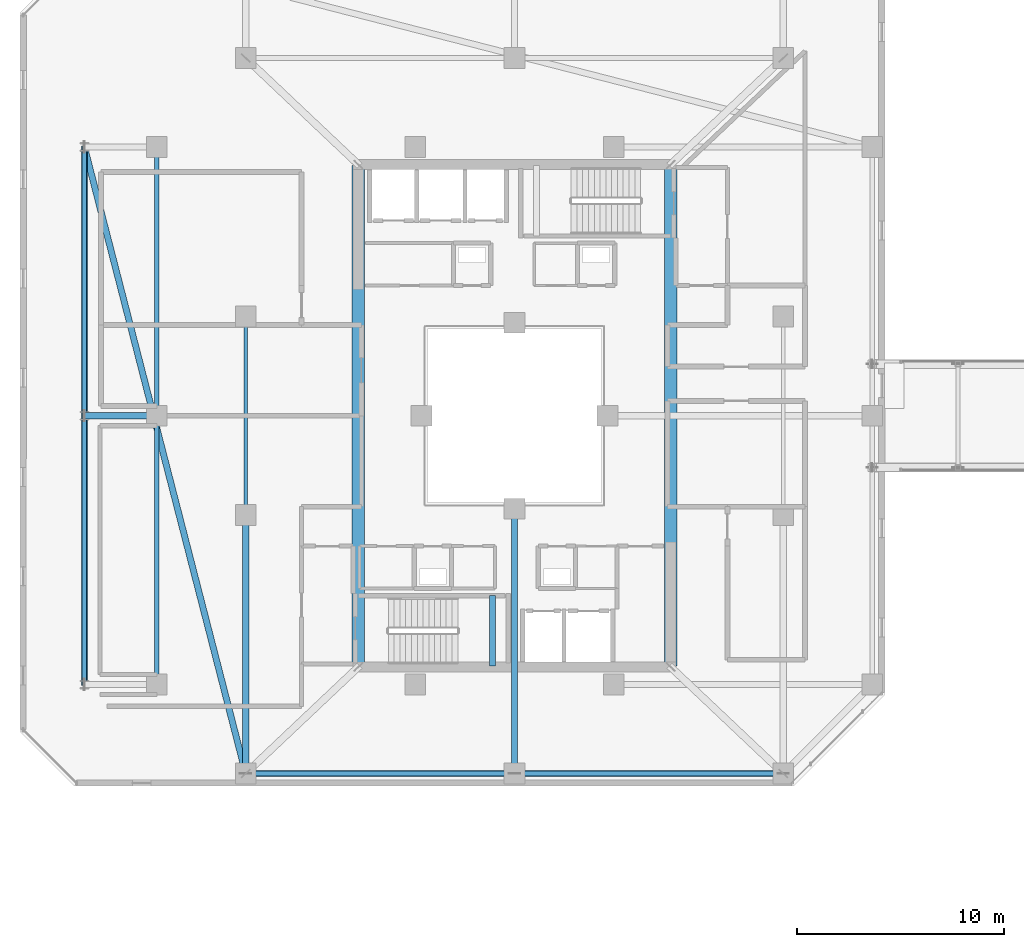
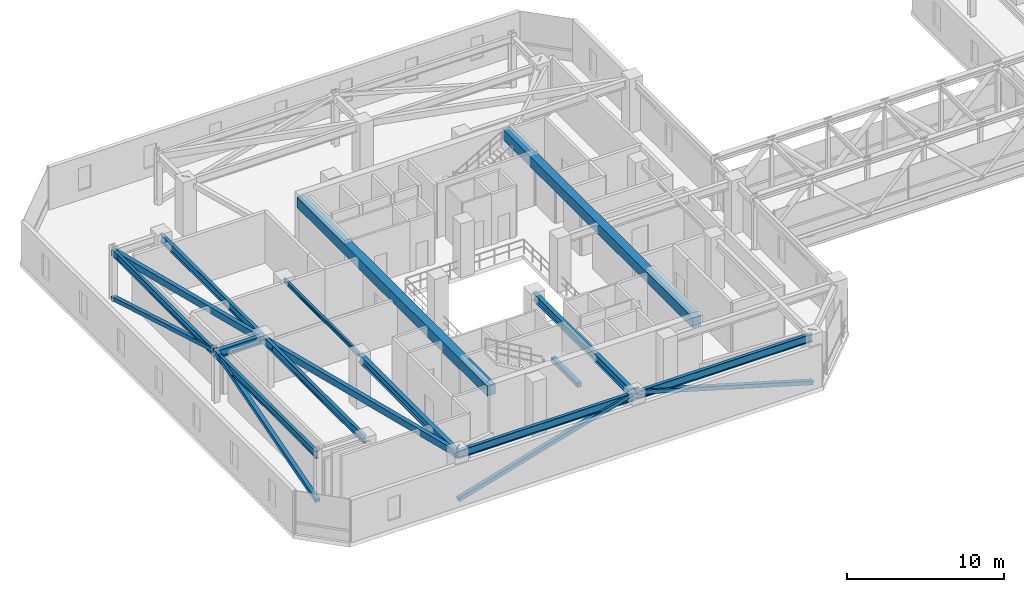
# One storey, part 4 of 42: 14 beams, 4 members.
"""IFC4 building model written with IfcOpenShell, lengths in metres."""

from ifc_helpers import new_model, si_unit, direction, frame, origin, origin_2d, place, context, subcontext, project, spatial, rectangle, hollow_rectangle, i_section, extrude, material, material_profile, profile_set, type_object, element, save


model = new_model("IFC4")

# Units and contexts
model_context = context("Model", 3, precision=1e-05, world=origin(), true_north=direction((0.0, 1.0)))
body_context = subcontext(model_context, "Body", "Model", "MODEL_VIEW")
ifc_project = project(units=[si_unit("LENGTHUNIT", "METRE"), si_unit("AREAUNIT", "SQUARE_METRE"), si_unit("VOLUMEUNIT", "CUBIC_METRE"), si_unit("PLANEANGLEUNIT", "RADIAN"), si_unit("MASSUNIT", "GRAM", prefix="KILO")], contexts=[model_context])

# Site, building, storey
site_placement = place(None, origin())
site = spatial("IfcSite", under=ifc_project, at=site_placement, CompositionType="ELEMENT")
building_placement = place(site_placement, origin())
building = spatial("IfcBuilding", under=site, at=building_placement, Name="Thornwick Lancets Civic Towers", CompositionType="ELEMENT")
storey_placement = place(building_placement, frame((0.0, 0.0, 221.699951171875)))
storey = spatial("IfcBuildingStorey", under=building, at=storey_placement, Name="L59", CompositionType="ELEMENT", Elevation=221.699951171875)

# Beams
ifc_material_1 = material(Name="Concrete C60/75", Category="concrete")
ifc_material_profile_1 = material_profile(ifc_material_1, rectangle(XDim=0.60009765625, YDim=0.800048828125, at=origin_2d()), Name="RC 600x800")
ifc_profile_set_1 = profile_set([ifc_material_profile_1], Name="Concrete C60/75")
beam_type_1 = type_object("IfcBeamType", Name="BM_COUP_RC800", PredefinedType="BEAM", material=ifc_profile_set_1)
for number, where, z_axis, x_axis, name in (
    (1, (33.050048828125, 14.89990234375, 3.56005859375), (0.0, 1.0, 0.0), (-1.0, 0.0, 0.0), "CB-L59-A1"),
    (2, (17.949951171875, 14.89990234375, 3.56005859375), (0.0, 1.0, 0.0), (-1.0, 0.0, 0.0), "CB-L59-A2"),
):
    element("IfcBeam", number, at=place(storey_placement, frame(where, z_axis=z_axis, x_axis=x_axis)), inside=storey, type_object=beam_type_1, Name=name, PredefinedType="BEAM", context=body_context, shape_type="SweptSolid", body=[
        extrude(rectangle(XDim=0.60009765625, YDim=0.800048828125, at=origin_2d()), origin(), (0.0, 0.0, 1.0), 24.2001953125),
    ])
ifc_material_2 = material(Name="Steel S355JR", Category="steel")
ifc_material_profile_2 = material_profile(ifc_material_2, i_section(OverallWidth=0.210693359375, OverallDepth=0.53955078125, WebThickness=0.01171875, FlangeThickness=0.018798828125, FilletRadius=0.0126953125, at=origin_2d()), Name="UKB 533x210x109")
ifc_profile_set_2 = profile_set([ifc_material_profile_2], Name="Steel S355JR")
beam_type_2 = type_object("IfcBeamType", Name="BM_EDGE_533_109", PredefinedType="SPANDREL", material=ifc_profile_set_2)
beam_1_placement = place(storey_placement, frame((4.699951171875, 14.0, 3.6904296875), z_axis=(0.0, 1.0, 0.0), x_axis=(-1.0, 0.0, 0.0)))
element("IfcBeam", 3, at=beam_1_placement, inside=storey, type_object=beam_type_2, Name="BM-EDGE-L59-A-S3-1", PredefinedType="SPANDREL", context=body_context, shape_type="SweptSolid", body=[
    extrude(i_section(OverallWidth=0.210693359375, OverallDepth=0.53955078125, WebThickness=0.01171875, FlangeThickness=0.018798828125, FilletRadius=0.0126953125, at=origin_2d()), origin(), (0.0, 0.0, 1.0), 13.0),
])
beam_2_placement = place(storey_placement, frame((4.699951171875, 27.080078125, 3.6904296875), z_axis=(0.0, 1.0, 0.0), x_axis=(-1.0, 0.0, 0.0)))
element("IfcBeam", 4, at=beam_2_placement, inside=storey, type_object=beam_type_2, Name="BM-EDGE-L59-A-S3-2", PredefinedType="SPANDREL", context=body_context, shape_type="SweptSolid", body=[
    extrude(i_section(OverallWidth=0.210693359375, OverallDepth=0.53955078125, WebThickness=0.01171875, FlangeThickness=0.018798828125, FilletRadius=0.0126953125, at=origin_2d()), origin(), (0.0, 0.0, 1.0), 12.919921875),
])
ifc_material_profile_3 = material_profile(ifc_material_2, i_section(OverallWidth=0.230224609375, OverallDepth=0.6171875, WebThickness=0.01318359375, FlangeThickness=0.022216796875, FilletRadius=0.0126953125, at=origin_2d()), Name="UKB 610x229x140")
ifc_profile_set_3 = profile_set([ifc_material_profile_3], Name="Steel S355JR")
beam_type_3 = type_object("IfcBeamType", Name="BM_GIRD_610_140", PredefinedType="BEAM", material=ifc_profile_set_3)
beam_3_placement = place(storey_placement, frame((12.5, 9.699951171875, 3.6513671875), z_axis=(1.0, 0.0, 0.0), x_axis=(0.0, 1.0, 0.0)))
element("IfcBeam", 5, at=beam_3_placement, inside=storey, type_object=beam_type_3, Name="BM-SPINE-L59-A-0-1", PredefinedType="BEAM", context=body_context, shape_type="SweptSolid", body=[
    extrude(i_section(OverallWidth=0.230224609375, OverallDepth=0.6171875, WebThickness=0.01318359375, FlangeThickness=0.022216796875, FilletRadius=0.0126953125, at=origin_2d()), origin(), (0.0, 0.0, 1.0), 13.0),
])
beam_4_placement = place(storey_placement, frame((25.580078125, 9.699951171875, 3.6513671875), z_axis=(1.0, 0.0, 0.0), x_axis=(0.0, 1.0, 0.0)))
element("IfcBeam", 6, at=beam_4_placement, inside=storey, type_object=beam_type_3, Name="BM-SPINE-L59-A-1-2", PredefinedType="BEAM", context=body_context, shape_type="SweptSolid", body=[
    extrude(i_section(OverallWidth=0.230224609375, OverallDepth=0.6171875, WebThickness=0.01318359375, FlangeThickness=0.022216796875, FilletRadius=0.0126953125, at=origin_2d()), origin(), (0.0, 0.0, 1.0), 12.919921875),
])
beam_5_placement = place(storey_placement, frame((8.199951171875, 14.0, 3.6513671875), z_axis=(0.0, 1.0, 0.0), x_axis=(-1.0, 0.0, 0.0)))
element("IfcBeam", 7, at=beam_5_placement, inside=storey, type_object=beam_type_3, Name="BM-SPINE-L59-A-9-10", PredefinedType="BEAM", context=body_context, shape_type="SweptSolid", body=[
    extrude(i_section(OverallWidth=0.230224609375, OverallDepth=0.6171875, WebThickness=0.01318359375, FlangeThickness=0.022216796875, FilletRadius=0.0126953125, at=origin_2d()), origin(), (0.0, 0.0, 1.0), 13.0),
])
beam_6_placement = place(storey_placement, frame((8.199951171875, 27.080078125, 3.6513671875), z_axis=(0.0, 1.0, 0.0), x_axis=(-1.0, 0.0, 0.0)))
element("IfcBeam", 8, at=beam_6_placement, inside=storey, type_object=beam_type_3, Name="BM-SPINE-L59-A-10-11", PredefinedType="BEAM", context=body_context, shape_type="SweptSolid", body=[
    extrude(i_section(OverallWidth=0.230224609375, OverallDepth=0.6171875, WebThickness=0.01318359375, FlangeThickness=0.022216796875, FilletRadius=0.0126953125, at=origin_2d()), origin(), (0.0, 0.0, 1.0), 12.919921875),
])
ifc_material_profile_4 = material_profile(ifc_material_2, i_section(OverallWidth=0.30712890625, OverallDepth=0.6201171875, WebThickness=0.01416015625, FlangeThickness=0.023681640625, FilletRadius=0.0166015625, at=origin_2d()), Name="UKB 610x305x179")
ifc_profile_set_4 = profile_set([ifc_material_profile_4], Name="Steel S355JR")
beam_type_4 = type_object("IfcBeamType", Name="BM_GIRD_610_179", PredefinedType="BEAM", material=ifc_profile_set_4)
beam_7_placement = place(storey_placement, frame((12.5, 22.1201171875, 3.64990234375), z_axis=(0.0, -1.0, 0.0), x_axis=(1.0, 0.0, 0.0)))
element("IfcBeam", 9, at=beam_7_placement, inside=storey, type_object=beam_type_4, Name="BM-RADIN-L59-A01", PredefinedType="BEAM", context=body_context, shape_type="SweptSolid", body=[
    extrude(i_section(OverallWidth=0.30712890625, OverallDepth=0.6201171875, WebThickness=0.01416015625, FlangeThickness=0.023681640625, FilletRadius=0.0166015625, at=origin_2d()), origin(), (0.0, 0.0, 1.0), 12.420166015625),
])
beam_8_placement = place(storey_placement, frame((25.5, 22.5, 3.64990234375), z_axis=(0.0, -1.0, 0.0), x_axis=(1.0, 0.0, 0.0)))
element("IfcBeam", 10, at=beam_8_placement, inside=storey, type_object=beam_type_4, Name="BM-RADIN-L59-A02", PredefinedType="BEAM", context=body_context, shape_type="SweptSolid", body=[
    extrude(i_section(OverallWidth=0.30712890625, OverallDepth=0.6201171875, WebThickness=0.01416015625, FlangeThickness=0.023681640625, FilletRadius=0.0166015625, at=origin_2d()), origin(), (0.0, 0.0, 1.0), 12.800048828125),
])
beam_9_placement = place(storey_placement, frame((8.199951171875, 27.0, 3.64990234375), z_axis=(-1.0, 0.0, 0.0), x_axis=(0.0, -1.0, 0.0)))
element("IfcBeam", 11, at=beam_9_placement, inside=storey, type_object=beam_type_4, Name="BM-RAD-L59-A11", PredefinedType="BEAM", context=body_context, shape_type="SweptSolid", body=[
    extrude(i_section(OverallWidth=0.30712890625, OverallDepth=0.6201171875, WebThickness=0.01416015625, FlangeThickness=0.023681640625, FilletRadius=0.0166015625, at=origin_2d()), origin(), (0.0, 0.0, 1.0), 3.5),
])
ifc_material_profile_5 = material_profile(ifc_material_2, i_section(OverallWidth=0.1669921875, OverallDepth=0.310302734375, WebThickness=0.0078125, FlangeThickness=0.013671875, FilletRadius=0.0087890625, at=origin_2d()), Name="UKB 305x165x54")
ifc_profile_set_5 = profile_set([ifc_material_profile_5], Name="Steel S355JR")
beam_type_5 = type_object("IfcBeamType", Name="BM_LINTEL_305_54", PredefinedType="LINTEL", material=ifc_profile_set_5)
beam_10_placement = place(storey_placement, frame((12.5, 22.199951171875, 3.804931640625), z_axis=(0.0, 1.0, 0.0), x_axis=(-1.0, 0.0, 0.0)))
element("IfcBeam", 12, at=beam_10_placement, inside=storey, type_object=beam_type_5, Name="BM-INSP-L59-A-0-2", PredefinedType="LINTEL", context=body_context, shape_type="SweptSolid", body=[
    extrude(i_section(OverallWidth=0.1669921875, OverallDepth=0.310302734375, WebThickness=0.0078125, FlangeThickness=0.013671875, FilletRadius=0.0087890625, at=origin_2d()), origin(), (0.0, 0.0, 1.0), 9.60009765625),
])
ifc_material_3 = material(Name="Steel S460M", Category="steel")
ifc_material_profile_6 = material_profile(ifc_material_3, hollow_rectangle(XDim=0.300048828125, YDim=0.5, WallThickness=0.02001953125, at=origin_2d()), Name="RHS 500x300x20")
ifc_profile_set_6 = profile_set([ifc_material_profile_6], Name="Steel S460M")
beam_type_6 = type_object("IfcBeamType", Name="BM_RING_RHS500", PredefinedType="BEAM", material=ifc_profile_set_6)
beam_11_placement = place(storey_placement, frame((4.699951171875, 40.0, 3.7099609375), z_axis=(0.249299080716, -0.96842654257, 0.0), x_axis=(0.96842654257, 0.249299080716, 0.0)))
element("IfcBeam", 13, at=beam_11_placement, inside=storey, type_object=beam_type_6, Name="BM-CHAMF-L59-A-C3", PredefinedType="BEAM", context=body_context, shape_type="SweptSolid", body=[
    extrude(hollow_rectangle(XDim=0.300048828125, YDim=0.5, WallThickness=0.02001953125, at=origin_2d()), origin(), (0.0, 0.0, 1.0), 31.287841796875),
])
ifc_material_4 = material(Name="Concrete C40/50", Category="concrete")
ifc_material_profile_7 = material_profile(ifc_material_4, rectangle(XDim=0.300048828125, YDim=0.35009765625, at=origin_2d()), Name="RC 300x350")
ifc_profile_set_7 = profile_set([ifc_material_profile_7], Name="Concrete C40/50")
beam_type_7 = type_object("IfcBeamType", Name="BM_STAIR_LDG", PredefinedType="BEAM", material=ifc_profile_set_7)
beam_12_placement = place(storey_placement, frame((24.43505859375, 14.89990234375, 1.677978515625), z_axis=(0.0, 1.0, 0.0), x_axis=(-1.0, 0.0, 0.0)))
element("IfcBeam", 14, at=beam_12_placement, inside=storey, type_object=beam_type_7, Name="L59 ST-A1 Landing Support Beam 1", PredefinedType="BEAM", context=body_context, shape_type="SweptSolid", body=[
    extrude(rectangle(XDim=0.300048828125, YDim=0.35009765625, at=origin_2d()), origin(), (0.0, 0.0, 1.0), 3.400146484375),
])

# Members
ifc_material_profile_8 = material_profile(ifc_material_3, hollow_rectangle(XDim=0.300048828125, YDim=0.300048828125, WallThickness=0.01611328125, at=origin_2d()), Name="SHS 300x300x16")
ifc_profile_set_8 = profile_set([ifc_material_profile_8], Name="Steel S460M")
member_type = type_object("IfcMemberType", Name="MEM_BELT_SHS300", PredefinedType="BRACE", material=ifc_profile_set_8)
for number, where, z_axis, x_axis, name in (
    (15, (12.5, 9.699951171875, 0.150146484375), (0.959639110761, 0.0, 0.281234381074), (0.0, 1.0, 0.0), "L59 Belt Truss Diagonal A-S0-1"),
    (16, (38.5, 9.699951171875, 0.150146484375), (-0.959639110761, 0.0, 0.281234381074), (0.0, -1.0, 0.0), "L59 Belt Truss Diagonal A-S0-2"),
    (17, (4.699951171875, 14.0, 0.150146484375), (0.0, 0.959639110761, 0.281234381074), (-1.0, 0.0, 0.0), "L59 Belt Truss Diagonal A-S3-1"),
    (18, (4.699951171875, 40.0, 0.150146484375), (0.0, -0.959639110761, 0.281234381074), (1.0, 0.0, 0.0), "L59 Belt Truss Diagonal A-S3-2"),
):
    element("IfcMember", number, at=place(storey_placement, frame(where, z_axis=z_axis, x_axis=x_axis)), inside=storey, type_object=member_type, Name=name, PredefinedType="BRACE", context=body_context, shape_type="SweptSolid", body=[
        extrude(hollow_rectangle(XDim=0.300048828125, YDim=0.300048828125, WallThickness=0.01611328125, at=origin_2d()), origin(), (0.0, 0.0, 1.0), 13.546875),
    ])

save(model, "model.ifc")
